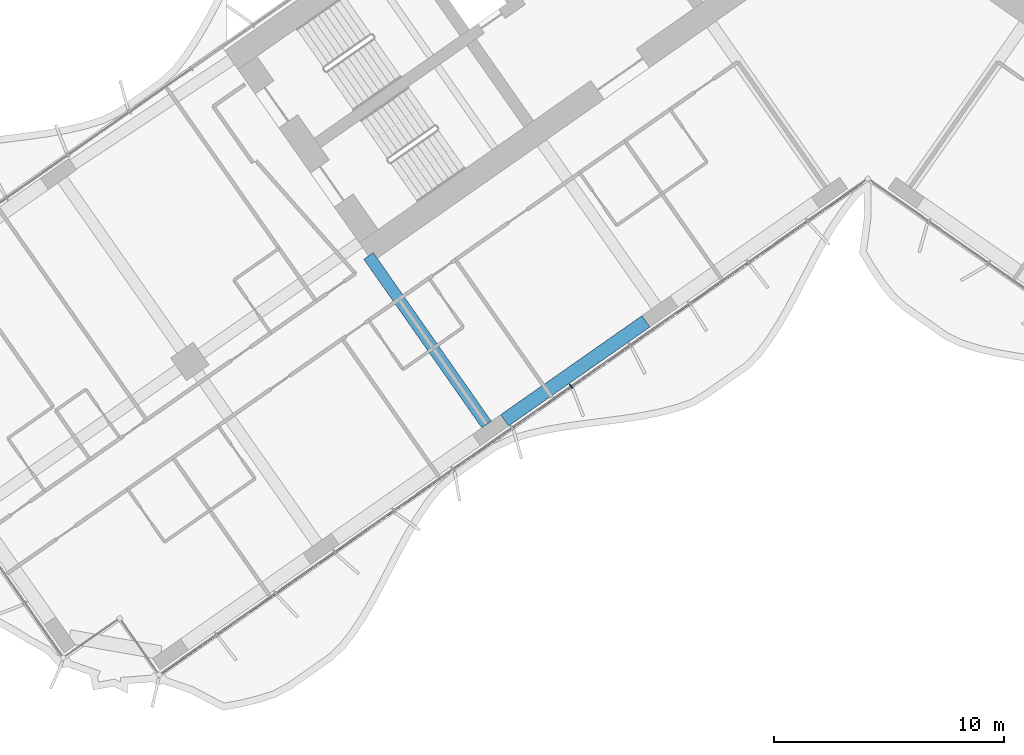
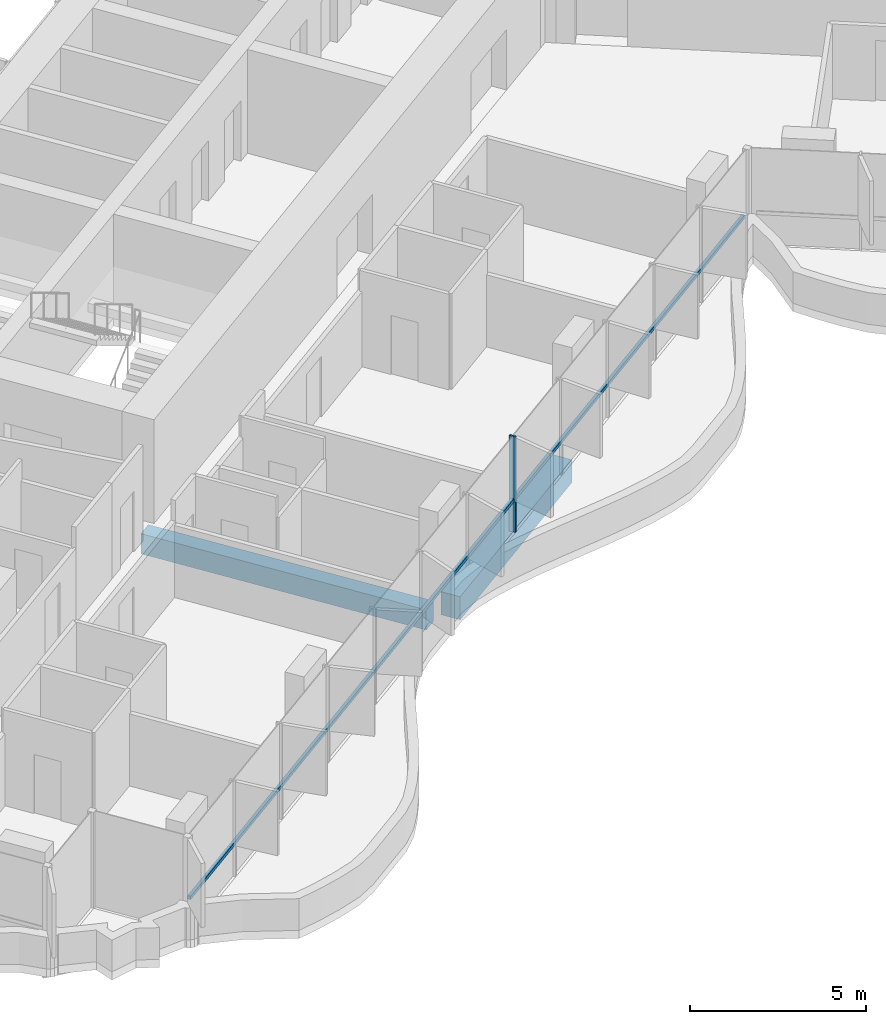
# One storey, part 3 of 23: 2 beams, 2 members, 1 element without a shape of its own.
"""IFC4 building model written with IfcOpenShell, lengths in metres."""

from ifc_helpers import new_model, si_unit, direction, frame, origin, origin_2d, place, context, subcontext, project, spatial, rectangle, extrude, material, material_profile, profile_set, type_object, element, aggregate, save


model = new_model("IFC4")

# Units and contexts
model_context = context("Model", 3, precision=1e-05, world=origin(), true_north=direction((0.0, 1.0)))
body_context = subcontext(model_context, "Body", "Model", "MODEL_VIEW")
ifc_project = project(units=[si_unit("LENGTHUNIT", "METRE"), si_unit("AREAUNIT", "SQUARE_METRE"), si_unit("VOLUMEUNIT", "CUBIC_METRE"), si_unit("PLANEANGLEUNIT", "RADIAN"), si_unit("MASSUNIT", "GRAM", prefix="KILO")], contexts=[model_context])

# Site, building, storey
site_placement = place(None, origin())
site = spatial("IfcSite", under=ifc_project, at=site_placement, CompositionType="ELEMENT")
building_placement = place(site_placement, origin())
building = spatial("IfcBuilding", under=site, at=building_placement, Name="Tel Ilan Convention Tower", CompositionType="ELEMENT")
storey_placement = place(building_placement, frame((0.0, 0.0, 79.699951171875)))
storey = spatial("IfcBuildingStorey", under=building, at=storey_placement, Name="L15", CompositionType="ELEMENT", Elevation=79.699951171875)

# Beams
ifc_material_1 = material(Name="Concrete C40/50", Category="concrete")
ifc_material_profile_1 = material_profile(ifc_material_1, rectangle(XDim=0.5, YDim=0.699951171875, at=origin_2d()), Name="RC 500x700")
ifc_profile_set_1 = profile_set([ifc_material_profile_1], Name="Concrete C40/50")
beam_type_1 = type_object("IfcBeamType", Name="Beam RC 500x700 Concrete C40/50", PredefinedType="BEAM", material=ifc_profile_set_1)
beam_1_placement = place(storey_placement, frame((-16.58203125, -23.391357421875, -0.6298828125), z_axis=(-0.573584999642, 0.819146048141, 0.0), x_axis=(-0.819146048141, -0.573584999642, 0.0)))
element("IfcBeam", 1, at=beam_1_placement, inside=storey, type_object=beam_type_1, Name="L15 beam W-W-F3-core", PredefinedType="BEAM", context=body_context, shape_type="SweptSolid", body=[
    extrude(rectangle(XDim=0.5, YDim=0.699951171875, at=origin_2d()), origin(), (0.0, 0.0, 1.0), 8.949951171875),
])
ifc_material_2 = material(Name="Concrete C40/50", Category="concrete")
ifc_material_profile_2 = material_profile(ifc_material_2, rectangle(XDim=0.60009765625, YDim=0.800048828125, at=origin_2d()), Name="RC 600x800")
ifc_profile_set_2 = profile_set([ifc_material_profile_2], Name="Concrete C40/50")
beam_type_2 = type_object("IfcBeamType", Name="Beam RC 600x800 Concrete C40/50", PredefinedType="BEAM", material=ifc_profile_set_2)
beam_2_placement = place(storey_placement, frame((-9.652099609375, -18.905029296875, -0.679931640625), z_axis=(-0.81915238829, -0.573575945067, 0.0), x_axis=(0.573575945067, -0.81915238829, 0.0)))
element("IfcBeam", 2, at=beam_2_placement, inside=storey, type_object=beam_type_2, Name="L15 beam W-W-F2-W-F3", PredefinedType="BEAM", context=body_context, shape_type="SweptSolid", body=[
    extrude(rectangle(XDim=0.60009765625, YDim=0.800048828125, at=origin_2d()), origin(), (0.0, 0.0, 1.0), 7.5),
])

# Curtain wall, members
ifc_material_3 = material(Name="Aluminium, bronze anodised", Category="aluminium")
curtain_wall_type = type_object("IfcCurtainWallType", Name="CW1 UNITISED CURTAIN WALL, HOTEL TINTED GLASS", PredefinedType="NOTDEFINED", material=ifc_material_3)
curtain_wall_placement = place(storey_placement, origin())
curtain_wall = element("IfcCurtainWall", 3, at=curtain_wall_placement, inside=storey, type_object=curtain_wall_type, Name="Curtain wall CW1-15.02", PredefinedType="NOTDEFINED")
ifc_material_4 = material(Name="Aluminium, bronze anodised", Category="aluminium")
ifc_material_profile_3 = material_profile(ifc_material_4, rectangle(XDim=0.06005859375, YDim=0.199951171875, at=origin_2d()), Name="CW MULLION 60x200")
ifc_profile_set_3 = profile_set([ifc_material_profile_3], Name="Aluminium, bronze anodised")
member_type_1 = type_object("IfcMemberType", Name="CW MULLION 60x200", PredefinedType="MULLION", material=ifc_profile_set_3)
member_1_placement = place(storey_placement, frame((-12.906982421875, -21.733642578125, 0.0), z_axis=(0.0, 0.0, 1.0), x_axis=(0.819152044289, 0.573576436351, 0.0)))
member_1 = element("IfcMember", 4, at=member_1_placement, type_object=member_type_1, Name="Mullion", PredefinedType="MULLION", context=body_context, shape_type="SweptSolid", body=[
    extrude(rectangle(XDim=0.06005859375, YDim=0.199951171875, at=origin_2d()), origin(), (0.0, 0.0, 1.0), 3.320068359375),
])
ifc_material_5 = material(Name="Aluminium, bronze anodised", Category="aluminium")
ifc_material_profile_4 = material_profile(ifc_material_5, rectangle(XDim=0.10009765625, YDim=0.1201171875, at=origin_2d()), Name="CW TRANSOM 100x120")
ifc_profile_set_4 = profile_set([ifc_material_profile_4], Name="Aluminium, bronze anodised")
member_type_2 = type_object("IfcMemberType", Name="CW TRANSOM 100x120", PredefinedType="USERDEFINED", material=ifc_profile_set_4)
member_2_placement = place(storey_placement, frame((-30.73291015625, -34.21533203125, 1.10009765625), z_axis=(0.819152467103, 0.57357583251, 0.0), x_axis=(-0.57357583251, 0.819152467103, 0.0)))
member_2 = element("IfcMember", 5, at=member_2_placement, type_object=member_type_2, Name="Transom", ObjectType="TRANSOM", PredefinedType="USERDEFINED", context=body_context, shape_type="SweptSolid", body=[
    extrude(rectangle(XDim=0.10009765625, YDim=0.1201171875, at=origin_2d()), origin(), (0.0, 0.0, 1.0), 37.247802734375),
])
aggregate(curtain_wall, [member_1, member_2])

save(model, "model.ifc")
